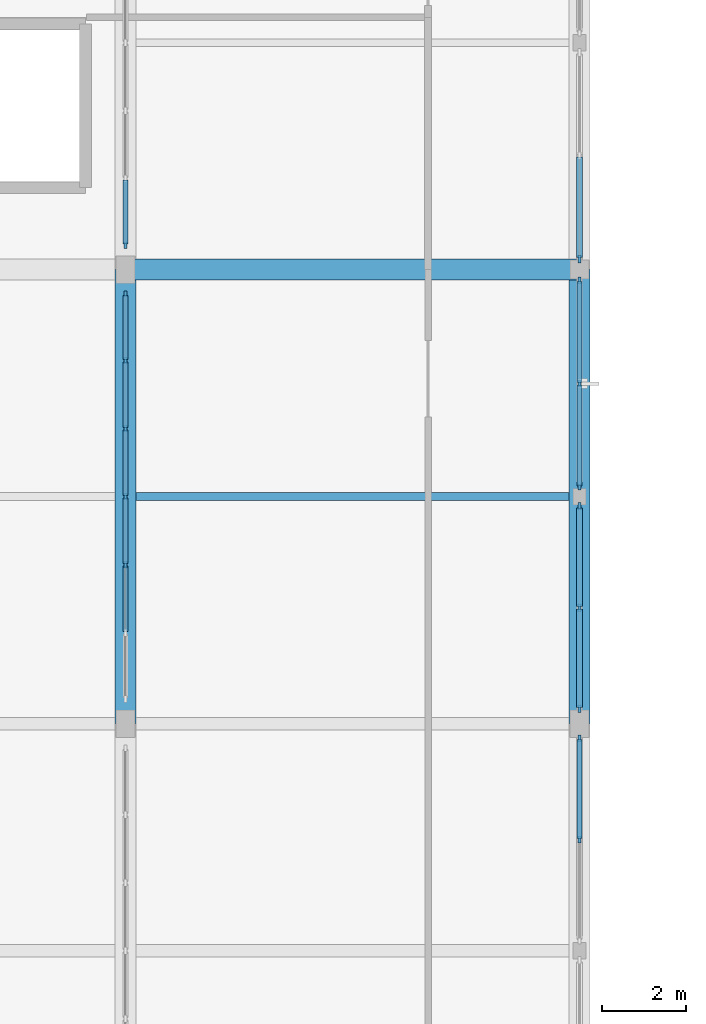
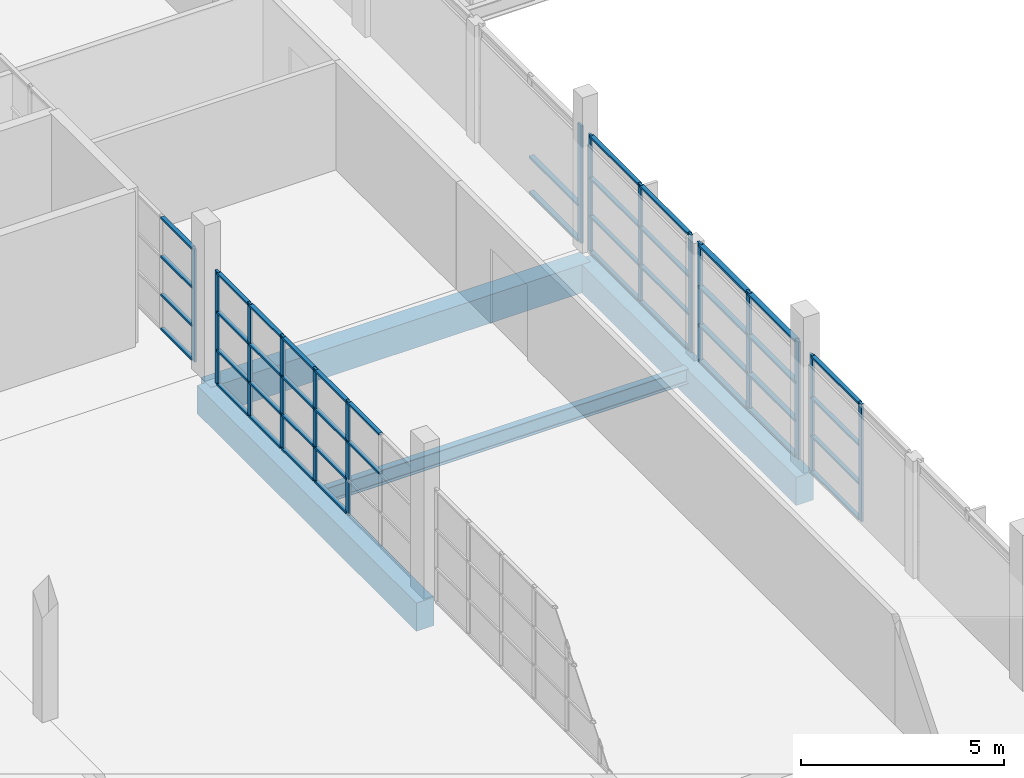
# One storey, part 19 of 142: 59 members, 4 beams, 6 elements without a shape of their own.
"""IFC4 building model written with IfcOpenShell, lengths in metres."""

from ifc_helpers import new_model, si_unit, direction, frame, origin, origin_2d, place, context, subcontext, project, spatial, rectangle, i_section, extrude, material, material_profile, profile_set, type_object, element, aggregate, save


model = new_model("IFC4")

# Units and contexts
model_context = context("Model", 3, precision=1e-05, world=origin(), true_north=direction((0.0, 1.0)))
body_context = subcontext(model_context, "Body", "Model", "MODEL_VIEW")
ifc_project = project(units=[si_unit("LENGTHUNIT", "METRE"), si_unit("AREAUNIT", "SQUARE_METRE"), si_unit("VOLUMEUNIT", "CUBIC_METRE"), si_unit("PLANEANGLEUNIT", "RADIAN"), si_unit("MASSUNIT", "GRAM", prefix="KILO")], contexts=[model_context])

# Site, building, storey
site_placement = place(None, origin())
site = spatial("IfcSite", under=ifc_project, at=site_placement, CompositionType="ELEMENT")
building_placement = place(site_placement, origin())
building = spatial("IfcBuilding", under=site, at=building_placement, Name="Zwinboog Wholesale Market", CompositionType="ELEMENT")
storey_placement = place(building_placement, frame((0.0, 0.0, 5.39990234375)))
storey = spatial("IfcBuildingStorey", under=building, at=storey_placement, Name="L01", CompositionType="ELEMENT", Elevation=5.39990234375)

# Beams
ifc_material_1 = material(Name="Precast concrete C45/55", Category="concrete")
ifc_material_profile_1 = material_profile(ifc_material_1, rectangle(XDim=0.5, YDim=0.85009765625, at=origin_2d()), Name="PC 500x850")
ifc_profile_set_1 = profile_set([ifc_material_profile_1], Name="Precast concrete C45/55")
beam_type_1 = type_object("IfcBeamType", Name="BT-03", PredefinedType="BEAM", material=ifc_profile_set_1)
for number, where, z_axis, x_axis, name in (
    (1, (32.39990234375, 54.0, -0.72998046875), (1.0, 0.0, 0.0), (0.0, 1.0, 0.0), "BG-03 (BMG-L01-0324-0540-0478)"),
    (2, (32.39990234375, 43.199951171875, -0.72998046875), (0.0, 1.0, 0.0), (-1.0, 0.0, 0.0), "BG-03 (BMG-L01-0324-0432-0639)"),
    (3, (43.199951171875, 43.199951171875, -0.72998046875), (0.0, 1.0, 0.0), (-1.0, 0.0, 0.0), "BG-03 (BMG-L01-0432-0432-0651)"),
):
    element("IfcBeam", number, at=place(storey_placement, frame(where, z_axis=z_axis, x_axis=x_axis)), inside=storey, type_object=beam_type_1, Name=name, PredefinedType="BEAM", context=body_context, shape_type="SweptSolid", body=[
        extrude(rectangle(XDim=0.5, YDim=0.85009765625, at=origin_2d()), origin(), (0.0, 0.0, 1.0), 10.800048828125),
    ])
ifc_material_2 = material(Name="Steel S355", Category="steel")
ifc_material_profile_2 = material_profile(ifc_material_2, i_section(OverallWidth=0.18994140625, OverallDepth=0.449951171875, WebThickness=0.009521484375, FlangeThickness=0.0146484375, FilletRadius=0.02099609375, at=origin_2d()), Name="IPE 450")
ifc_profile_set_2 = profile_set([ifc_material_profile_2], Name="Steel S355")
beam_type_2 = type_object("IfcBeamType", Name="BT-19", PredefinedType="JOIST", material=ifc_profile_set_2)
beam_placement = place(storey_placement, frame((32.64990234375, 48.60009765625, -0.47998046875), z_axis=(1.0, 0.0, 0.0), x_axis=(0.0, 1.0, 0.0)))
element("IfcBeam", 4, at=beam_placement, inside=storey, type_object=beam_type_2, Name="SJ-02 (BMG-L01-0326-0486-0793)", PredefinedType="JOIST", context=body_context, shape_type="SweptSolid", body=[
    extrude(i_section(OverallWidth=0.18994140625, OverallDepth=0.449951171875, WebThickness=0.009521484375, FlangeThickness=0.0146484375, FilletRadius=0.02099609375, at=origin_2d()), origin(), (0.0, 0.0, 1.0), 10.300048828125),
])

# Curtain wall, members
ifc_material_3 = material(Name="Aluminium thermally broken curtain wall", Category="aluminium")
curtain_wall_type_1 = type_object("IfcCurtainWallType", Name="CWT-CAFE-22", PredefinedType="USERDEFINED", material=ifc_material_3)
curtain_wall_1_placement = place(storey_placement, origin())
curtain_wall_1 = element("IfcCurtainWall", 5, at=curtain_wall_1_placement, inside=storey, type_object=curtain_wall_type_1, Name="CW-05 (CW-L01-077)", ObjectType="STOREFRONT_GLAZING", PredefinedType="USERDEFINED")
ifc_material_4 = material(Name="Aluminium EN AW-6060", Category="aluminium")
ifc_material_profile_3 = material_profile(ifc_material_4, rectangle(XDim=0.06494140625, YDim=0.179931640625, at=origin_2d()), Name="AL 65x180")
ifc_profile_set_3 = profile_set([ifc_material_profile_3], Name="Aluminium EN AW-6060")
member_type_1 = type_object("IfcMemberType", Name="CWM-65x180", PredefinedType="MULLION", material=ifc_profile_set_3)
member_1_placement = place(storey_placement, frame((43.199951171875, 43.552490234375, 0.0), z_axis=(0.0, 0.0, 1.0), x_axis=(-1.0, 0.0, 0.0)))
member_1 = element("IfcMember", 6, at=member_1_placement, type_object=member_type_1, Name="CW-05 mullion 1", PredefinedType="MULLION", context=body_context, shape_type="SweptSolid", body=[
    extrude(rectangle(XDim=0.06494140625, YDim=0.179931640625, at=origin_2d()), origin(), (0.0, 0.0, 1.0), 3.530029296875),
])
member_2_placement = place(storey_placement, frame((43.199951171875, 45.9599609375, 0.0), z_axis=(0.0, 0.0, 1.0), x_axis=(-1.0, 0.0, 0.0)))
member_2 = element("IfcMember", 7, at=member_2_placement, type_object=member_type_1, Name="CW-05 mullion 2", PredefinedType="MULLION", context=body_context, shape_type="SweptSolid", body=[
    extrude(rectangle(XDim=0.06494140625, YDim=0.179931640625, at=origin_2d()), origin(), (0.0, 0.0, 1.0), 3.530029296875),
])
member_3_placement = place(storey_placement, frame((43.199951171875, 48.367431640625, 0.0), z_axis=(0.0, 0.0, 1.0), x_axis=(-1.0, 0.0, 0.0)))
member_3 = element("IfcMember", 8, at=member_3_placement, type_object=member_type_1, Name="CW-05 mullion 3", PredefinedType="MULLION", context=body_context, shape_type="SweptSolid", body=[
    extrude(rectangle(XDim=0.06494140625, YDim=0.179931640625, at=origin_2d()), origin(), (0.0, 0.0, 1.0), 3.530029296875),
])

# Curtain wall, member
curtain_wall_type_2 = type_object("IfcCurtainWallType", Name="CWT-STALL-18", PredefinedType="USERDEFINED", material=ifc_material_3)
curtain_wall_2_placement = place(storey_placement, origin())
curtain_wall_2 = element("IfcCurtainWall", 9, at=curtain_wall_2_placement, inside=storey, type_object=curtain_wall_type_2, Name="CW-01 (CW-L01-079)", ObjectType="STOREFRONT_GLAZING", PredefinedType="USERDEFINED")
member_4_placement = place(storey_placement, frame((43.199951171875, 54.25244140625, 0.0), z_axis=(0.0, 0.0, 1.0), x_axis=(-1.0, 0.0, 0.0)))
member_4 = element("IfcMember", 10, at=member_4_placement, type_object=member_type_1, Name="CW-01 mullion 1", PredefinedType="MULLION", context=body_context, shape_type="SweptSolid", body=[
    extrude(rectangle(XDim=0.06494140625, YDim=0.179931640625, at=origin_2d()), origin(), (0.0, 0.0, 1.0), 3.530029296875),
])

# Curtain wall, members
curtain_wall_type_3 = type_object("IfcCurtainWallType", Name="CWT-GAL-16", PredefinedType="USERDEFINED", material=ifc_material_3)
curtain_wall_3_placement = place(storey_placement, origin())
curtain_wall_3 = element("IfcCurtainWall", 11, at=curtain_wall_3_placement, inside=storey, type_object=curtain_wall_type_3, Name="CW-04 (CW-L01-076)", ObjectType="UNITIZED_CURTAIN_WALL", PredefinedType="USERDEFINED")
ifc_material_profile_4 = material_profile(ifc_material_4, rectangle(XDim=0.06005859375, YDim=0.14990234375, at=origin_2d()), Name="AL 60x150")
ifc_profile_set_4 = profile_set([ifc_material_profile_4], Name="Aluminium EN AW-6060")
member_type_2 = type_object("IfcMemberType", Name="CWM-60x150", PredefinedType="MULLION", material=ifc_profile_set_4)
member_5_placement = place(storey_placement, frame((43.199951171875, 40.43994140625, 0.0), z_axis=(0.0, 0.0, 1.0), x_axis=(-1.0, 0.0, 0.0)))
member_5 = element("IfcMember", 12, at=member_5_placement, type_object=member_type_2, Name="CW-04 mullion 2", PredefinedType="MULLION", context=body_context, shape_type="SweptSolid", body=[
    extrude(rectangle(XDim=0.06005859375, YDim=0.14990234375, at=origin_2d()), origin(), (0.0, 0.0, 1.0), 3.530029296875),
])
member_6_placement = place(storey_placement, frame((43.199951171875, 42.85009765625, 0.0), z_axis=(0.0, 0.0, 1.0), x_axis=(-1.0, 0.0, 0.0)))
member_6 = element("IfcMember", 13, at=member_6_placement, type_object=member_type_2, Name="CW-04 mullion 3", PredefinedType="MULLION", context=body_context, shape_type="SweptSolid", body=[
    extrude(rectangle(XDim=0.06005859375, YDim=0.14990234375, at=origin_2d()), origin(), (0.0, 0.0, 1.0), 3.530029296875),
])

curtain_wall_type_4 = type_object("IfcCurtainWallType", Name="CWT-OFF-15", PredefinedType="USERDEFINED", material=ifc_material_3)
curtain_wall_4_placement = place(storey_placement, origin())
curtain_wall_4 = element("IfcCurtainWall", 14, at=curtain_wall_4_placement, inside=storey, type_object=curtain_wall_type_4, Name="CW-06 (CW-L01-078)", ObjectType="UNITIZED_CURTAIN_WALL", PredefinedType="USERDEFINED")
member_7_placement = place(storey_placement, frame((43.199951171875, 48.830078125, 0.0), z_axis=(0.0, 0.0, 1.0), x_axis=(-1.0, 0.0, 0.0)))
member_7 = element("IfcMember", 15, at=member_7_placement, type_object=member_type_2, Name="CW-06 mullion 1", PredefinedType="MULLION", context=body_context, shape_type="SweptSolid", body=[
    extrude(rectangle(XDim=0.06005859375, YDim=0.14990234375, at=origin_2d()), origin(), (0.0, 0.0, 1.0), 3.530029296875),
])
member_8_placement = place(storey_placement, frame((43.199951171875, 51.2900390625, 0.0), z_axis=(0.0, 0.0, 1.0), x_axis=(-1.0, 0.0, 0.0)))
member_8 = element("IfcMember", 16, at=member_8_placement, type_object=member_type_2, Name="CW-06 mullion 2", PredefinedType="MULLION", context=body_context, shape_type="SweptSolid", body=[
    extrude(rectangle(XDim=0.06005859375, YDim=0.14990234375, at=origin_2d()), origin(), (0.0, 0.0, 1.0), 3.530029296875),
])
member_9_placement = place(storey_placement, frame((43.199951171875, 53.75, 0.0), z_axis=(0.0, 0.0, 1.0), x_axis=(-1.0, 0.0, 0.0)))
member_9 = element("IfcMember", 17, at=member_9_placement, type_object=member_type_2, Name="CW-06 mullion 3", PredefinedType="MULLION", context=body_context, shape_type="SweptSolid", body=[
    extrude(rectangle(XDim=0.06005859375, YDim=0.14990234375, at=origin_2d()), origin(), (0.0, 0.0, 1.0), 3.530029296875),
])

# Member
ifc_material_profile_5 = material_profile(ifc_material_4, rectangle(XDim=0.139892578125, YDim=0.06494140625, at=origin_2d()), Name="AL 65x140")
ifc_profile_set_5 = profile_set([ifc_material_profile_5], Name="Aluminium EN AW-6060")
member_type_3 = type_object("IfcMemberType", Name="CWT-65x140", PredefinedType="USERDEFINED", material=ifc_profile_set_5)
member_10_placement = place(storey_placement, frame((43.199951171875, 43.5849609375, 0.03271484375), z_axis=(0.0, 1.0, 0.0), x_axis=(-1.0, 0.0, 0.0)))
member_10 = element("IfcMember", 18, at=member_10_placement, type_object=member_type_3, Name="CW-05 transom 1.1", ObjectType="TRANSOM", PredefinedType="USERDEFINED", context=body_context, shape_type="SweptSolid", body=[
    extrude(rectangle(XDim=0.139892578125, YDim=0.06494140625, at=origin_2d()), origin(), (0.0, 0.0, 1.0), 2.342529296875),
])

member_11_placement = place(storey_placement, frame((43.199951171875, 43.5849609375, 1.10009765625), z_axis=(0.0, 1.0, 0.0), x_axis=(-1.0, 0.0, 0.0)))
member_11 = element("IfcMember", 19, at=member_11_placement, type_object=member_type_3, Name="CW-05 transom 1.2", ObjectType="TRANSOM", PredefinedType="USERDEFINED", context=body_context, shape_type="SweptSolid", body=[
    extrude(rectangle(XDim=0.139892578125, YDim=0.06494140625, at=origin_2d()), origin(), (0.0, 0.0, 1.0), 2.342529296875),
])

member_12_placement = place(storey_placement, frame((43.199951171875, 43.5849609375, 2.25), z_axis=(0.0, 1.0, 0.0), x_axis=(-1.0, 0.0, 0.0)))
member_12 = element("IfcMember", 20, at=member_12_placement, type_object=member_type_3, Name="CW-05 transom 1.3", ObjectType="TRANSOM", PredefinedType="USERDEFINED", context=body_context, shape_type="SweptSolid", body=[
    extrude(rectangle(XDim=0.139892578125, YDim=0.06494140625, at=origin_2d()), origin(), (0.0, 0.0, 1.0), 2.342529296875),
])

member_13_placement = place(storey_placement, frame((43.199951171875, 43.5849609375, 3.49755859375), z_axis=(0.0, 1.0, 0.0), x_axis=(-1.0, 0.0, 0.0)))
member_13 = element("IfcMember", 21, at=member_13_placement, type_object=member_type_3, Name="CW-05 transom 1.4", ObjectType="TRANSOM", PredefinedType="USERDEFINED", context=body_context, shape_type="SweptSolid", body=[
    extrude(rectangle(XDim=0.139892578125, YDim=0.06494140625, at=origin_2d()), origin(), (0.0, 0.0, 1.0), 2.342529296875),
])

member_14_placement = place(storey_placement, frame((43.199951171875, 45.992431640625, 0.03271484375), z_axis=(0.0, 1.0, 0.0), x_axis=(-1.0, 0.0, 0.0)))
member_14 = element("IfcMember", 22, at=member_14_placement, type_object=member_type_3, Name="CW-05 transom 2.1", ObjectType="TRANSOM", PredefinedType="USERDEFINED", context=body_context, shape_type="SweptSolid", body=[
    extrude(rectangle(XDim=0.139892578125, YDim=0.06494140625, at=origin_2d()), origin(), (0.0, 0.0, 1.0), 2.342529296875),
])

member_15_placement = place(storey_placement, frame((43.199951171875, 45.992431640625, 1.10009765625), z_axis=(0.0, 1.0, 0.0), x_axis=(-1.0, 0.0, 0.0)))
member_15 = element("IfcMember", 23, at=member_15_placement, type_object=member_type_3, Name="CW-05 transom 2.2", ObjectType="TRANSOM", PredefinedType="USERDEFINED", context=body_context, shape_type="SweptSolid", body=[
    extrude(rectangle(XDim=0.139892578125, YDim=0.06494140625, at=origin_2d()), origin(), (0.0, 0.0, 1.0), 2.342529296875),
])

member_16_placement = place(storey_placement, frame((43.199951171875, 45.992431640625, 2.25), z_axis=(0.0, 1.0, 0.0), x_axis=(-1.0, 0.0, 0.0)))
member_16 = element("IfcMember", 24, at=member_16_placement, type_object=member_type_3, Name="CW-05 transom 2.3", ObjectType="TRANSOM", PredefinedType="USERDEFINED", context=body_context, shape_type="SweptSolid", body=[
    extrude(rectangle(XDim=0.139892578125, YDim=0.06494140625, at=origin_2d()), origin(), (0.0, 0.0, 1.0), 2.342529296875),
])

member_17_placement = place(storey_placement, frame((43.199951171875, 45.992431640625, 3.49755859375), z_axis=(0.0, 1.0, 0.0), x_axis=(-1.0, 0.0, 0.0)))
member_17 = element("IfcMember", 25, at=member_17_placement, type_object=member_type_3, Name="CW-05 transom 2.4", ObjectType="TRANSOM", PredefinedType="USERDEFINED", context=body_context, shape_type="SweptSolid", body=[
    extrude(rectangle(XDim=0.139892578125, YDim=0.06494140625, at=origin_2d()), origin(), (0.0, 0.0, 1.0), 2.342529296875),
])

aggregate(curtain_wall_1, [member_1, member_2, member_3, member_10, member_11, member_12, member_13, member_14, member_15, member_16, member_17])

member_18_placement = place(storey_placement, frame((43.199951171875, 54.284912109375, 0.03271484375), z_axis=(0.0, 1.0, 0.0), x_axis=(-1.0, 0.0, 0.0)))
member_18 = element("IfcMember", 26, at=member_18_placement, type_object=member_type_3, Name="CW-01 transom 1.1", ObjectType="TRANSOM", PredefinedType="USERDEFINED", context=body_context, shape_type="SweptSolid", body=[
    extrude(rectangle(XDim=0.139892578125, YDim=0.06494140625, at=origin_2d()), origin(), (0.0, 0.0, 1.0), 2.392578125),
])

member_19_placement = place(storey_placement, frame((43.199951171875, 54.284912109375, 1.10009765625), z_axis=(0.0, 1.0, 0.0), x_axis=(-1.0, 0.0, 0.0)))
member_19 = element("IfcMember", 27, at=member_19_placement, type_object=member_type_3, Name="CW-01 transom 1.2", ObjectType="TRANSOM", PredefinedType="USERDEFINED", context=body_context, shape_type="SweptSolid", body=[
    extrude(rectangle(XDim=0.139892578125, YDim=0.06494140625, at=origin_2d()), origin(), (0.0, 0.0, 1.0), 2.392578125),
])

aggregate(curtain_wall_2, [member_4, member_18, member_19])

ifc_material_profile_6 = material_profile(ifc_material_4, rectangle(XDim=0.110107421875, YDim=0.06005859375, at=origin_2d()), Name="AL 60x110")
ifc_profile_set_6 = profile_set([ifc_material_profile_6], Name="Aluminium EN AW-6060")
member_type_4 = type_object("IfcMemberType", Name="CWT-60x110", PredefinedType="USERDEFINED", material=ifc_profile_set_6)
member_20_placement = place(storey_placement, frame((43.199951171875, 40.469970703125, 0.030029296875), z_axis=(0.0, 1.0, 0.0), x_axis=(-1.0, 0.0, 0.0)))
member_20 = element("IfcMember", 28, at=member_20_placement, type_object=member_type_4, Name="CW-04 transom 2.1", ObjectType="TRANSOM", PredefinedType="USERDEFINED", context=body_context, shape_type="SweptSolid", body=[
    extrude(rectangle(XDim=0.110107421875, YDim=0.06005859375, at=origin_2d()), origin(), (0.0, 0.0, 1.0), 2.35009765625),
])

member_21_placement = place(storey_placement, frame((43.199951171875, 40.469970703125, 1.10009765625), z_axis=(0.0, 1.0, 0.0), x_axis=(-1.0, 0.0, 0.0)))
member_21 = element("IfcMember", 29, at=member_21_placement, type_object=member_type_4, Name="CW-04 transom 2.2", ObjectType="TRANSOM", PredefinedType="USERDEFINED", context=body_context, shape_type="SweptSolid", body=[
    extrude(rectangle(XDim=0.110107421875, YDim=0.06005859375, at=origin_2d()), origin(), (0.0, 0.0, 1.0), 2.35009765625),
])

member_22_placement = place(storey_placement, frame((43.199951171875, 40.469970703125, 2.25), z_axis=(0.0, 1.0, 0.0), x_axis=(-1.0, 0.0, 0.0)))
member_22 = element("IfcMember", 30, at=member_22_placement, type_object=member_type_4, Name="CW-04 transom 2.3", ObjectType="TRANSOM", PredefinedType="USERDEFINED", context=body_context, shape_type="SweptSolid", body=[
    extrude(rectangle(XDim=0.110107421875, YDim=0.06005859375, at=origin_2d()), origin(), (0.0, 0.0, 1.0), 2.35009765625),
])

member_23_placement = place(storey_placement, frame((43.199951171875, 40.469970703125, 3.5), z_axis=(0.0, 1.0, 0.0), x_axis=(-1.0, 0.0, 0.0)))
member_23 = element("IfcMember", 31, at=member_23_placement, type_object=member_type_4, Name="CW-04 transom 2.4", ObjectType="TRANSOM", PredefinedType="USERDEFINED", context=body_context, shape_type="SweptSolid", body=[
    extrude(rectangle(XDim=0.110107421875, YDim=0.06005859375, at=origin_2d()), origin(), (0.0, 0.0, 1.0), 2.35009765625),
])

aggregate(curtain_wall_3, [member_5, member_6, member_20, member_21, member_22, member_23])

member_24_placement = place(storey_placement, frame((43.199951171875, 48.860107421875, 0.030029296875), z_axis=(0.0, 1.0, 0.0), x_axis=(-1.0, 0.0, 0.0)))
member_24 = element("IfcMember", 32, at=member_24_placement, type_object=member_type_4, Name="CW-06 transom 1.1", ObjectType="TRANSOM", PredefinedType="USERDEFINED", context=body_context, shape_type="SweptSolid", body=[
    extrude(rectangle(XDim=0.110107421875, YDim=0.06005859375, at=origin_2d()), origin(), (0.0, 0.0, 1.0), 2.39990234375),
])

member_25_placement = place(storey_placement, frame((43.199951171875, 48.860107421875, 1.10009765625), z_axis=(0.0, 1.0, 0.0), x_axis=(-1.0, 0.0, 0.0)))
member_25 = element("IfcMember", 33, at=member_25_placement, type_object=member_type_4, Name="CW-06 transom 1.2", ObjectType="TRANSOM", PredefinedType="USERDEFINED", context=body_context, shape_type="SweptSolid", body=[
    extrude(rectangle(XDim=0.110107421875, YDim=0.06005859375, at=origin_2d()), origin(), (0.0, 0.0, 1.0), 2.39990234375),
])

member_26_placement = place(storey_placement, frame((43.199951171875, 48.860107421875, 2.25), z_axis=(0.0, 1.0, 0.0), x_axis=(-1.0, 0.0, 0.0)))
member_26 = element("IfcMember", 34, at=member_26_placement, type_object=member_type_4, Name="CW-06 transom 1.3", ObjectType="TRANSOM", PredefinedType="USERDEFINED", context=body_context, shape_type="SweptSolid", body=[
    extrude(rectangle(XDim=0.110107421875, YDim=0.06005859375, at=origin_2d()), origin(), (0.0, 0.0, 1.0), 2.39990234375),
])

member_27_placement = place(storey_placement, frame((43.199951171875, 48.860107421875, 3.5), z_axis=(0.0, 1.0, 0.0), x_axis=(-1.0, 0.0, 0.0)))
member_27 = element("IfcMember", 35, at=member_27_placement, type_object=member_type_4, Name="CW-06 transom 1.4", ObjectType="TRANSOM", PredefinedType="USERDEFINED", context=body_context, shape_type="SweptSolid", body=[
    extrude(rectangle(XDim=0.110107421875, YDim=0.06005859375, at=origin_2d()), origin(), (0.0, 0.0, 1.0), 2.39990234375),
])

member_28_placement = place(storey_placement, frame((43.199951171875, 51.320068359375, 0.030029296875), z_axis=(0.0, 1.0, 0.0), x_axis=(-1.0, 0.0, 0.0)))
member_28 = element("IfcMember", 36, at=member_28_placement, type_object=member_type_4, Name="CW-06 transom 2.1", ObjectType="TRANSOM", PredefinedType="USERDEFINED", context=body_context, shape_type="SweptSolid", body=[
    extrude(rectangle(XDim=0.110107421875, YDim=0.06005859375, at=origin_2d()), origin(), (0.0, 0.0, 1.0), 2.39990234375),
])

member_29_placement = place(storey_placement, frame((43.199951171875, 51.320068359375, 1.10009765625), z_axis=(0.0, 1.0, 0.0), x_axis=(-1.0, 0.0, 0.0)))
member_29 = element("IfcMember", 37, at=member_29_placement, type_object=member_type_4, Name="CW-06 transom 2.2", ObjectType="TRANSOM", PredefinedType="USERDEFINED", context=body_context, shape_type="SweptSolid", body=[
    extrude(rectangle(XDim=0.110107421875, YDim=0.06005859375, at=origin_2d()), origin(), (0.0, 0.0, 1.0), 2.39990234375),
])

member_30_placement = place(storey_placement, frame((43.199951171875, 51.320068359375, 2.25), z_axis=(0.0, 1.0, 0.0), x_axis=(-1.0, 0.0, 0.0)))
member_30 = element("IfcMember", 38, at=member_30_placement, type_object=member_type_4, Name="CW-06 transom 2.3", ObjectType="TRANSOM", PredefinedType="USERDEFINED", context=body_context, shape_type="SweptSolid", body=[
    extrude(rectangle(XDim=0.110107421875, YDim=0.06005859375, at=origin_2d()), origin(), (0.0, 0.0, 1.0), 2.39990234375),
])

member_31_placement = place(storey_placement, frame((43.199951171875, 51.320068359375, 3.5), z_axis=(0.0, 1.0, 0.0), x_axis=(-1.0, 0.0, 0.0)))
member_31 = element("IfcMember", 39, at=member_31_placement, type_object=member_type_4, Name="CW-06 transom 2.4", ObjectType="TRANSOM", PredefinedType="USERDEFINED", context=body_context, shape_type="SweptSolid", body=[
    extrude(rectangle(XDim=0.110107421875, YDim=0.06005859375, at=origin_2d()), origin(), (0.0, 0.0, 1.0), 2.39990234375),
])

aggregate(curtain_wall_4, [member_7, member_8, member_9, member_24, member_25, member_26, member_27, member_28, member_29, member_30, member_31])

# Curtain wall, members
curtain_wall_type_5 = type_object("IfcCurtainWallType", Name="CWT-INT-STALL", PredefinedType="USERDEFINED", material=ifc_material_3)
curtain_wall_5_placement = place(storey_placement, origin())
curtain_wall_5 = element("IfcCurtainWall", 40, at=curtain_wall_5_placement, inside=storey, type_object=curtain_wall_type_5, Name="CW-07 (CW-STL-267)", ObjectType="STOREFRONT_GLAZING", PredefinedType="USERDEFINED")
ifc_material_profile_7 = material_profile(ifc_material_4, rectangle(XDim=0.06005859375, YDim=0.14990234375, at=origin_2d()), Name="AL 60x150")
ifc_profile_set_7 = profile_set([ifc_material_profile_7], Name="Aluminium EN AW-6060")
member_type_5 = type_object("IfcMemberType", Name="CWM-INT-60x120", PredefinedType="MULLION", material=ifc_profile_set_7)
member_32_placement = place(storey_placement, frame((32.39990234375, 46.9833984375, 0.0), z_axis=(0.0, 0.0, 1.0), x_axis=(-1.0, 0.0, 0.0)))
member_32 = element("IfcMember", 41, at=member_32_placement, type_object=member_type_5, Name="CW-07 mullion 3", PredefinedType="MULLION", context=body_context, shape_type="SweptSolid", body=[
    extrude(rectangle(XDim=0.06005859375, YDim=0.14990234375, at=origin_2d()), origin(), (0.0, 0.0, 1.0), 3.400146484375),
])
member_33_placement = place(storey_placement, frame((32.39990234375, 48.60009765625, 0.0), z_axis=(0.0, 0.0, 1.0), x_axis=(-1.0, 0.0, 0.0)))
member_33 = element("IfcMember", 42, at=member_33_placement, type_object=member_type_5, Name="CW-07 mullion 4", PredefinedType="MULLION", context=body_context, shape_type="SweptSolid", body=[
    extrude(rectangle(XDim=0.06005859375, YDim=0.14990234375, at=origin_2d()), origin(), (0.0, 0.0, 1.0), 3.400146484375),
])
member_34_placement = place(storey_placement, frame((32.39990234375, 50.216552734375, 0.0), z_axis=(0.0, 0.0, 1.0), x_axis=(-1.0, 0.0, 0.0)))
member_34 = element("IfcMember", 43, at=member_34_placement, type_object=member_type_5, Name="CW-07 mullion 5", PredefinedType="MULLION", context=body_context, shape_type="SweptSolid", body=[
    extrude(rectangle(XDim=0.06005859375, YDim=0.14990234375, at=origin_2d()), origin(), (0.0, 0.0, 1.0), 3.400146484375),
])
member_35_placement = place(storey_placement, frame((32.39990234375, 51.833251953125, 0.0), z_axis=(0.0, 0.0, 1.0), x_axis=(-1.0, 0.0, 0.0)))
member_35 = element("IfcMember", 44, at=member_35_placement, type_object=member_type_5, Name="CW-07 mullion 6", PredefinedType="MULLION", context=body_context, shape_type="SweptSolid", body=[
    extrude(rectangle(XDim=0.06005859375, YDim=0.14990234375, at=origin_2d()), origin(), (0.0, 0.0, 1.0), 3.400146484375),
])
member_36_placement = place(storey_placement, frame((32.39990234375, 53.419921875, 0.0), z_axis=(0.0, 0.0, 1.0), x_axis=(-1.0, 0.0, 0.0)))
member_36 = element("IfcMember", 45, at=member_36_placement, type_object=member_type_5, Name="CW-07 mullion 7", PredefinedType="MULLION", context=body_context, shape_type="SweptSolid", body=[
    extrude(rectangle(XDim=0.06005859375, YDim=0.14990234375, at=origin_2d()), origin(), (0.0, 0.0, 1.0), 3.400146484375),
])

# Curtain wall, member
curtain_wall_6_placement = place(storey_placement, origin())
curtain_wall_6 = element("IfcCurtainWall", 46, at=curtain_wall_6_placement, inside=storey, type_object=curtain_wall_type_5, Name="CW-07 (CW-STL-268)", ObjectType="STOREFRONT_GLAZING", PredefinedType="USERDEFINED")
member_37_placement = place(storey_placement, frame((32.39990234375, 54.580078125, 0.0), z_axis=(0.0, 0.0, 1.0), x_axis=(-1.0, 0.0, 0.0)))
member_37 = element("IfcMember", 47, at=member_37_placement, type_object=member_type_5, Name="CW-07 mullion 1", PredefinedType="MULLION", context=body_context, shape_type="SweptSolid", body=[
    extrude(rectangle(XDim=0.06005859375, YDim=0.14990234375, at=origin_2d()), origin(), (0.0, 0.0, 1.0), 3.400146484375),
])

# Member
ifc_material_profile_8 = material_profile(ifc_material_4, rectangle(XDim=0.110107421875, YDim=0.06005859375, at=origin_2d()), Name="AL 60x110")
ifc_profile_set_8 = profile_set([ifc_material_profile_8], Name="Aluminium EN AW-6060")
member_type_6 = type_object("IfcMemberType", Name="CWT-INT-60x100", PredefinedType="USERDEFINED", material=ifc_profile_set_8)
member_38_placement = place(storey_placement, frame((32.39990234375, 45.396728515625, 2.2001953125), z_axis=(0.0, 1.0, 0.0), x_axis=(-1.0, 0.0, 0.0)))
member_38 = element("IfcMember", 48, at=member_38_placement, type_object=member_type_6, Name="CW-07 transom 2.3", ObjectType="TRANSOM", PredefinedType="USERDEFINED", context=body_context, shape_type="SweptSolid", body=[
    extrude(rectangle(XDim=0.110107421875, YDim=0.06005859375, at=origin_2d()), origin(), (0.0, 0.0, 1.0), 1.556640625),
])

member_39_placement = place(storey_placement, frame((32.39990234375, 45.396728515625, 3.3701171875), z_axis=(0.0, 1.0, 0.0), x_axis=(-1.0, 0.0, 0.0)))
member_39 = element("IfcMember", 49, at=member_39_placement, type_object=member_type_6, Name="CW-07 transom 2.4", ObjectType="TRANSOM", PredefinedType="USERDEFINED", context=body_context, shape_type="SweptSolid", body=[
    extrude(rectangle(XDim=0.110107421875, YDim=0.06005859375, at=origin_2d()), origin(), (0.0, 0.0, 1.0), 1.556640625),
])

member_40_placement = place(storey_placement, frame((32.39990234375, 47.013427734375, 0.030029296875), z_axis=(0.0, 1.0, 0.0), x_axis=(-1.0, 0.0, 0.0)))
member_40 = element("IfcMember", 50, at=member_40_placement, type_object=member_type_6, Name="CW-07 transom 3.1", ObjectType="TRANSOM", PredefinedType="USERDEFINED", context=body_context, shape_type="SweptSolid", body=[
    extrude(rectangle(XDim=0.110107421875, YDim=0.06005859375, at=origin_2d()), origin(), (0.0, 0.0, 1.0), 1.556640625),
])

member_41_placement = place(storey_placement, frame((32.39990234375, 47.013427734375, 1.050048828125), z_axis=(0.0, 1.0, 0.0), x_axis=(-1.0, 0.0, 0.0)))
member_41 = element("IfcMember", 51, at=member_41_placement, type_object=member_type_6, Name="CW-07 transom 3.2", ObjectType="TRANSOM", PredefinedType="USERDEFINED", context=body_context, shape_type="SweptSolid", body=[
    extrude(rectangle(XDim=0.110107421875, YDim=0.06005859375, at=origin_2d()), origin(), (0.0, 0.0, 1.0), 1.556640625),
])

member_42_placement = place(storey_placement, frame((32.39990234375, 47.013427734375, 2.2001953125), z_axis=(0.0, 1.0, 0.0), x_axis=(-1.0, 0.0, 0.0)))
member_42 = element("IfcMember", 52, at=member_42_placement, type_object=member_type_6, Name="CW-07 transom 3.3", ObjectType="TRANSOM", PredefinedType="USERDEFINED", context=body_context, shape_type="SweptSolid", body=[
    extrude(rectangle(XDim=0.110107421875, YDim=0.06005859375, at=origin_2d()), origin(), (0.0, 0.0, 1.0), 1.556640625),
])

member_43_placement = place(storey_placement, frame((32.39990234375, 47.013427734375, 3.3701171875), z_axis=(0.0, 1.0, 0.0), x_axis=(-1.0, 0.0, 0.0)))
member_43 = element("IfcMember", 53, at=member_43_placement, type_object=member_type_6, Name="CW-07 transom 3.4", ObjectType="TRANSOM", PredefinedType="USERDEFINED", context=body_context, shape_type="SweptSolid", body=[
    extrude(rectangle(XDim=0.110107421875, YDim=0.06005859375, at=origin_2d()), origin(), (0.0, 0.0, 1.0), 1.556640625),
])

member_44_placement = place(storey_placement, frame((32.39990234375, 48.6298828125, 0.030029296875), z_axis=(0.0, 1.0, 0.0), x_axis=(-1.0, 0.0, 0.0)))
member_44 = element("IfcMember", 54, at=member_44_placement, type_object=member_type_6, Name="CW-07 transom 4.1", ObjectType="TRANSOM", PredefinedType="USERDEFINED", context=body_context, shape_type="SweptSolid", body=[
    extrude(rectangle(XDim=0.110107421875, YDim=0.06005859375, at=origin_2d()), origin(), (0.0, 0.0, 1.0), 1.556884765625),
])

member_45_placement = place(storey_placement, frame((32.39990234375, 48.6298828125, 1.050048828125), z_axis=(0.0, 1.0, 0.0), x_axis=(-1.0, 0.0, 0.0)))
member_45 = element("IfcMember", 55, at=member_45_placement, type_object=member_type_6, Name="CW-07 transom 4.2", ObjectType="TRANSOM", PredefinedType="USERDEFINED", context=body_context, shape_type="SweptSolid", body=[
    extrude(rectangle(XDim=0.110107421875, YDim=0.06005859375, at=origin_2d()), origin(), (0.0, 0.0, 1.0), 1.556884765625),
])

member_46_placement = place(storey_placement, frame((32.39990234375, 48.6298828125, 2.2001953125), z_axis=(0.0, 1.0, 0.0), x_axis=(-1.0, 0.0, 0.0)))
member_46 = element("IfcMember", 56, at=member_46_placement, type_object=member_type_6, Name="CW-07 transom 4.3", ObjectType="TRANSOM", PredefinedType="USERDEFINED", context=body_context, shape_type="SweptSolid", body=[
    extrude(rectangle(XDim=0.110107421875, YDim=0.06005859375, at=origin_2d()), origin(), (0.0, 0.0, 1.0), 1.556884765625),
])

member_47_placement = place(storey_placement, frame((32.39990234375, 48.6298828125, 3.3701171875), z_axis=(0.0, 1.0, 0.0), x_axis=(-1.0, 0.0, 0.0)))
member_47 = element("IfcMember", 57, at=member_47_placement, type_object=member_type_6, Name="CW-07 transom 4.4", ObjectType="TRANSOM", PredefinedType="USERDEFINED", context=body_context, shape_type="SweptSolid", body=[
    extrude(rectangle(XDim=0.110107421875, YDim=0.06005859375, at=origin_2d()), origin(), (0.0, 0.0, 1.0), 1.556884765625),
])

member_48_placement = place(storey_placement, frame((32.39990234375, 50.24658203125, 0.030029296875), z_axis=(0.0, 1.0, 0.0), x_axis=(-1.0, 0.0, 0.0)))
member_48 = element("IfcMember", 58, at=member_48_placement, type_object=member_type_6, Name="CW-07 transom 5.1", ObjectType="TRANSOM", PredefinedType="USERDEFINED", context=body_context, shape_type="SweptSolid", body=[
    extrude(rectangle(XDim=0.110107421875, YDim=0.06005859375, at=origin_2d()), origin(), (0.0, 0.0, 1.0), 1.556640625),
])

member_49_placement = place(storey_placement, frame((32.39990234375, 50.24658203125, 1.050048828125), z_axis=(0.0, 1.0, 0.0), x_axis=(-1.0, 0.0, 0.0)))
member_49 = element("IfcMember", 59, at=member_49_placement, type_object=member_type_6, Name="CW-07 transom 5.2", ObjectType="TRANSOM", PredefinedType="USERDEFINED", context=body_context, shape_type="SweptSolid", body=[
    extrude(rectangle(XDim=0.110107421875, YDim=0.06005859375, at=origin_2d()), origin(), (0.0, 0.0, 1.0), 1.556640625),
])

member_50_placement = place(storey_placement, frame((32.39990234375, 50.24658203125, 2.2001953125), z_axis=(0.0, 1.0, 0.0), x_axis=(-1.0, 0.0, 0.0)))
member_50 = element("IfcMember", 60, at=member_50_placement, type_object=member_type_6, Name="CW-07 transom 5.3", ObjectType="TRANSOM", PredefinedType="USERDEFINED", context=body_context, shape_type="SweptSolid", body=[
    extrude(rectangle(XDim=0.110107421875, YDim=0.06005859375, at=origin_2d()), origin(), (0.0, 0.0, 1.0), 1.556640625),
])

member_51_placement = place(storey_placement, frame((32.39990234375, 50.24658203125, 3.3701171875), z_axis=(0.0, 1.0, 0.0), x_axis=(-1.0, 0.0, 0.0)))
member_51 = element("IfcMember", 61, at=member_51_placement, type_object=member_type_6, Name="CW-07 transom 5.4", ObjectType="TRANSOM", PredefinedType="USERDEFINED", context=body_context, shape_type="SweptSolid", body=[
    extrude(rectangle(XDim=0.110107421875, YDim=0.06005859375, at=origin_2d()), origin(), (0.0, 0.0, 1.0), 1.556640625),
])

member_52_placement = place(storey_placement, frame((32.39990234375, 51.86328125, 0.030029296875), z_axis=(0.0, 1.0, 0.0), x_axis=(-1.0, 0.0, 0.0)))
member_52 = element("IfcMember", 62, at=member_52_placement, type_object=member_type_6, Name="CW-07 transom 6.1", ObjectType="TRANSOM", PredefinedType="USERDEFINED", context=body_context, shape_type="SweptSolid", body=[
    extrude(rectangle(XDim=0.110107421875, YDim=0.06005859375, at=origin_2d()), origin(), (0.0, 0.0, 1.0), 1.526611328125),
])

member_53_placement = place(storey_placement, frame((32.39990234375, 51.86328125, 1.050048828125), z_axis=(0.0, 1.0, 0.0), x_axis=(-1.0, 0.0, 0.0)))
member_53 = element("IfcMember", 63, at=member_53_placement, type_object=member_type_6, Name="CW-07 transom 6.2", ObjectType="TRANSOM", PredefinedType="USERDEFINED", context=body_context, shape_type="SweptSolid", body=[
    extrude(rectangle(XDim=0.110107421875, YDim=0.06005859375, at=origin_2d()), origin(), (0.0, 0.0, 1.0), 1.526611328125),
])

member_54_placement = place(storey_placement, frame((32.39990234375, 51.86328125, 2.2001953125), z_axis=(0.0, 1.0, 0.0), x_axis=(-1.0, 0.0, 0.0)))
member_54 = element("IfcMember", 64, at=member_54_placement, type_object=member_type_6, Name="CW-07 transom 6.3", ObjectType="TRANSOM", PredefinedType="USERDEFINED", context=body_context, shape_type="SweptSolid", body=[
    extrude(rectangle(XDim=0.110107421875, YDim=0.06005859375, at=origin_2d()), origin(), (0.0, 0.0, 1.0), 1.526611328125),
])

member_55_placement = place(storey_placement, frame((32.39990234375, 51.86328125, 3.3701171875), z_axis=(0.0, 1.0, 0.0), x_axis=(-1.0, 0.0, 0.0)))
member_55 = element("IfcMember", 65, at=member_55_placement, type_object=member_type_6, Name="CW-07 transom 6.4", ObjectType="TRANSOM", PredefinedType="USERDEFINED", context=body_context, shape_type="SweptSolid", body=[
    extrude(rectangle(XDim=0.110107421875, YDim=0.06005859375, at=origin_2d()), origin(), (0.0, 0.0, 1.0), 1.526611328125),
])

aggregate(curtain_wall_5, [member_32, member_33, member_34, member_35, member_36, member_38, member_39, member_40, member_41, member_42, member_43, member_44, member_45, member_46, member_47, member_48, member_49, member_50, member_51, member_52, member_53, member_54, member_55])

member_56_placement = place(storey_placement, frame((32.39990234375, 54.610107421875, 0.030029296875), z_axis=(0.0, 1.0, 0.0), x_axis=(-1.0, 0.0, 0.0)))
member_56 = element("IfcMember", 66, at=member_56_placement, type_object=member_type_6, Name="CW-07 transom 1.1", ObjectType="TRANSOM", PredefinedType="USERDEFINED", context=body_context, shape_type="SweptSolid", body=[
    extrude(rectangle(XDim=0.110107421875, YDim=0.06005859375, at=origin_2d()), origin(), (0.0, 0.0, 1.0), 1.526611328125),
])

member_57_placement = place(storey_placement, frame((32.39990234375, 54.610107421875, 1.050048828125), z_axis=(0.0, 1.0, 0.0), x_axis=(-1.0, 0.0, 0.0)))
member_57 = element("IfcMember", 67, at=member_57_placement, type_object=member_type_6, Name="CW-07 transom 1.2", ObjectType="TRANSOM", PredefinedType="USERDEFINED", context=body_context, shape_type="SweptSolid", body=[
    extrude(rectangle(XDim=0.110107421875, YDim=0.06005859375, at=origin_2d()), origin(), (0.0, 0.0, 1.0), 1.526611328125),
])

member_58_placement = place(storey_placement, frame((32.39990234375, 54.610107421875, 2.2001953125), z_axis=(0.0, 1.0, 0.0), x_axis=(-1.0, 0.0, 0.0)))
member_58 = element("IfcMember", 68, at=member_58_placement, type_object=member_type_6, Name="CW-07 transom 1.3", ObjectType="TRANSOM", PredefinedType="USERDEFINED", context=body_context, shape_type="SweptSolid", body=[
    extrude(rectangle(XDim=0.110107421875, YDim=0.06005859375, at=origin_2d()), origin(), (0.0, 0.0, 1.0), 1.526611328125),
])

member_59_placement = place(storey_placement, frame((32.39990234375, 54.610107421875, 3.3701171875), z_axis=(0.0, 1.0, 0.0), x_axis=(-1.0, 0.0, 0.0)))
member_59 = element("IfcMember", 69, at=member_59_placement, type_object=member_type_6, Name="CW-07 transom 1.4", ObjectType="TRANSOM", PredefinedType="USERDEFINED", context=body_context, shape_type="SweptSolid", body=[
    extrude(rectangle(XDim=0.110107421875, YDim=0.06005859375, at=origin_2d()), origin(), (0.0, 0.0, 1.0), 1.526611328125),
])

aggregate(curtain_wall_6, [member_37, member_56, member_57, member_58, member_59])

save(model, "model.ifc")
